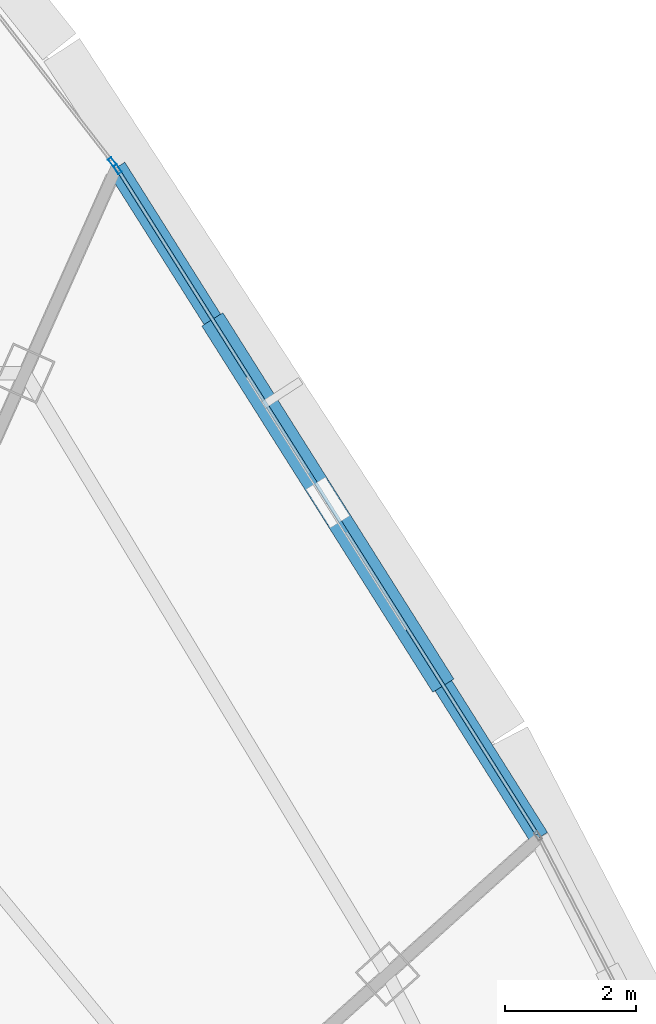
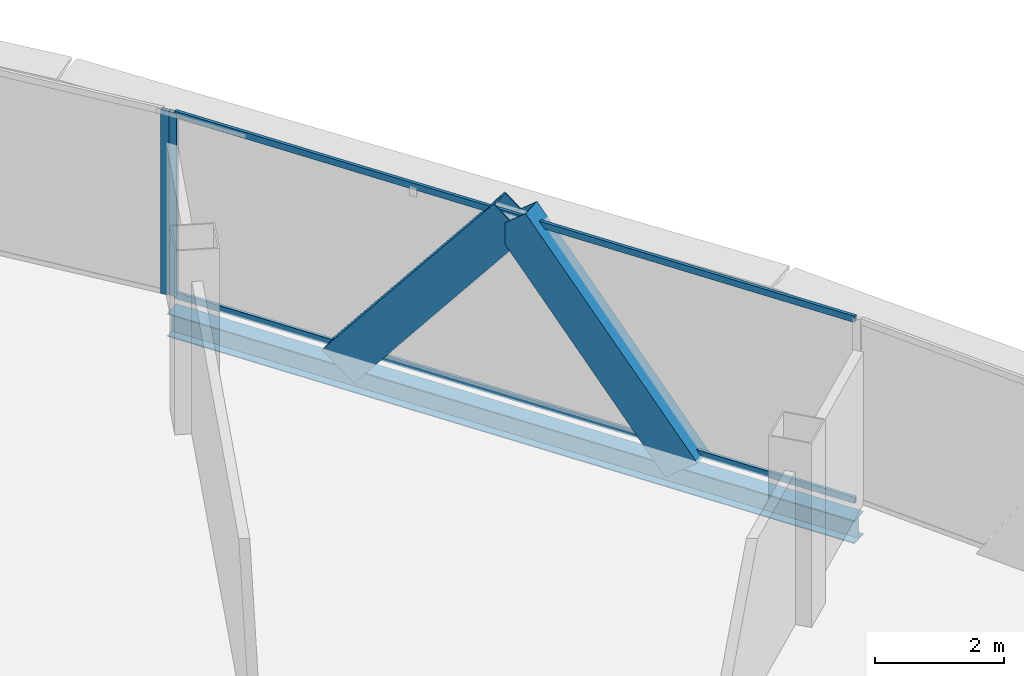
# One storey, part 19 of 26: 6 members, 1 beam, 2 elements without a shape of their own.
"""IFC4 building model written with IfcOpenShell, lengths in metres."""

from ifc_helpers import new_model, si_unit, direction, frame, origin, origin_2d, place, context, subcontext, project, spatial, hollow_rectangle, i_section, extrude, source, transform, mapped, material, layer, layer_set, material_profile, profile_set, type_object, element, aggregate, save


model = new_model("IFC4")

# Units and contexts
model_context = context("Model", 3, precision=1e-05, world=origin(), true_north=direction((0.0, 1.0)))
body_context = subcontext(model_context, "Body", "Model", "MODEL_VIEW")
ifc_project = project(units=[si_unit("LENGTHUNIT", "METRE"), si_unit("AREAUNIT", "SQUARE_METRE"), si_unit("VOLUMEUNIT", "CUBIC_METRE"), si_unit("PLANEANGLEUNIT", "RADIAN"), si_unit("MASSUNIT", "GRAM", prefix="KILO"), si_unit("THERMODYNAMICTEMPERATUREUNIT", "KELVIN"), si_unit("POWERUNIT", "WATT")], contexts=[model_context])

# Site, building, storey
site_placement = place(None, origin())
site = spatial("IfcSite", under=ifc_project, at=site_placement, CompositionType="ELEMENT")
building_placement = place(site_placement, origin())
building = spatial("IfcBuilding", under=site, at=building_placement, Name="Yunzhuo Pagoda Commons", CompositionType="ELEMENT")
storey_placement = place(building_placement, frame((0.0, 0.0, 340.510009765625)))
storey = spatial("IfcBuildingStorey", under=building, at=storey_placement, Name="L85", CompositionType="ELEMENT", Elevation=340.510009765625)

# Beam
ifc_material_1 = material(Name="Structural steel Q355B", Category="steel")
ifc_material_profile_1 = material_profile(ifc_material_1, i_section(OverallWidth=0.300048828125, OverallDepth=0.43994140625, WebThickness=0.010986328125, FlangeThickness=0.01806640625, at=origin_2d()), Name="Structural steel Q355B")
ifc_profile_set_1 = profile_set([ifc_material_profile_1], Name="Structural steel Q355B")
beam_type = type_object("IfcBeamType", Name="B-SP2 Beam HM 440x300x11x18", PredefinedType="BEAM", material=ifc_profile_set_1)
shared_shape_1 = source(origin(), body_context, "Body", "SweptSolid", [
    extrude(i_section(OverallWidth=0.300048828125, OverallDepth=0.43994140625, WebThickness=0.010986328125, FlangeThickness=0.01806640625, at=origin_2d()), origin(), (0.0, 0.0, 1.0), 12.070068359375),
])
beam_placement = place(storey_placement, frame((66.33447265625, 50.2080078125, -0.47998046875), z_axis=(-0.533485299325, 0.845809337501, 0.0), x_axis=(-0.845809337501, -0.533485299325, 0.0)))
element("IfcBeam", 1, at=beam_placement, inside=storey, type_object=beam_type, Name="L85 facade edge spandrel beam F2.3", PredefinedType="BEAM", context=body_context, shape_type="MappedRepresentation", body=[
    mapped(shared_shape_1, transform((0.0, 0.0, 0.0), scale=1.0)),
])

# Members
ifc_material_profile_2 = material_profile(ifc_material_1, hollow_rectangle(XDim=0.3798828125, YDim=0.719970703125, WallThickness=0.02001953125, at=origin_2d()), Name="Structural steel Q355B")
ifc_profile_set_2 = profile_set([ifc_material_profile_2], Name="Structural steel Q355B")
member_type_1 = type_object("IfcMemberType", Name="M-DL3 Brace BOX 720x380x20", PredefinedType="BRACE", material=ifc_profile_set_2)
shared_shape_2 = source(origin(), body_context, "Body", "SweptSolid", [
    extrude(hollow_rectangle(XDim=0.3798828125, YDim=0.719970703125, WallThickness=0.02001953125, at=origin_2d()), origin(), (0.0, 0.0, 1.0), 4.813232421875),
])
for number, where, z_axis, x_axis, name in (
    (2, (64.724365234375, 52.760498046875, -0.260009765625), (-0.334423493444, 0.530218227965, 0.779121016124), (-0.845813691845, -0.533478395708, 0.0), "L85 facade diamond brace F2.3L"),
    (3, (61.5048828125, 57.86474609375, -0.260009765625), (0.334459548167, -0.530245695562, 0.779086845594), (0.845800210541, 0.533499769305, 0.0), "L85 facade diamond brace F2.3R"),
):
    element("IfcMember", number, at=place(storey_placement, frame(where, z_axis=z_axis, x_axis=x_axis)), inside=storey, type_object=member_type_1, Name=name, PredefinedType="BRACE", context=body_context, shape_type="MappedRepresentation", body=[
        mapped(shared_shape_2, transform((0.0, 0.0, 0.0), scale=1.0)),
    ])

# Curtain wall, member
ifc_material_2 = material(Name="Anodized aluminium 6063-T6", Category="aluminium")
ifc_layer = layer(ifc_material_2, 0.139892578125)
ifc_layer_set = layer_set([ifc_layer], Name="Anodized aluminium 6063-T6")
curtain_wall_type = type_object("IfcCurtainWallType", Name="CW-HI High-Zone Ribbon Curtain Wall", PredefinedType="NOTDEFINED", material=ifc_layer_set)
curtain_wall_1_placement = place(storey_placement, origin())
curtain_wall_1 = element("IfcCurtainWall", 4, at=curtain_wall_1_placement, inside=storey, type_object=curtain_wall_type, Name="L85 curtain wall CW-L85-F2B4", PredefinedType="NOTDEFINED")
ifc_material_profile_3 = material_profile(ifc_material_2, hollow_rectangle(XDim=0.06005859375, YDim=0.139892578125, WallThickness=0.00341796875, at=origin_2d()), Name="Anodized aluminium 6063-T6")
ifc_profile_set_3 = profile_set([ifc_material_profile_3], Name="Anodized aluminium 6063-T6")
member_type_2 = type_object("IfcMemberType", Name="CW-HI-M Mullion RHS 140x60x3.5", PredefinedType="MULLION", material=ifc_profile_set_3)
shared_shape_3 = source(origin(), body_context, "Body", "SweptSolid", [
    extrude(hollow_rectangle(XDim=0.06005859375, YDim=0.139892578125, WallThickness=0.00341796875, at=origin_2d()), origin(), (0.0, 0.0, 1.0), 3.489990234375),
])
member_1_placement = place(storey_placement, frame((59.9111328125, 60.391845703125, 0.0), z_axis=(0.0, 0.0, 1.0), x_axis=(-0.845817518552, -0.533472328532, 0.0)))
member_1 = element("IfcMember", 5, at=member_1_placement, type_object=member_type_2, Name="CW mullion 2", PredefinedType="MULLION", context=body_context, shape_type="MappedRepresentation", body=[
    mapped(shared_shape_3, transform((0.0, 0.0, 0.0), scale=1.0)),
])

curtain_wall_2_placement = place(storey_placement, origin())
curtain_wall_2 = element("IfcCurtainWall", 6, at=curtain_wall_2_placement, inside=storey, type_object=curtain_wall_type, Name="L85 curtain wall CW-L85-F2B5", PredefinedType="NOTDEFINED")
member_2_placement = place(storey_placement, frame((59.8310546875, 60.5, 0.0), z_axis=(0.0, 0.0, 1.0), x_axis=(-0.79052744869, -0.612426610189, 0.0)))
member_2 = element("IfcMember", 7, at=member_2_placement, type_object=member_type_2, Name="CW mullion 1", PredefinedType="MULLION", context=body_context, shape_type="MappedRepresentation", body=[
    mapped(shared_shape_3, transform((0.0, 0.0, 0.0), scale=1.0)),
])
aggregate(curtain_wall_2, [member_2])

# Member
ifc_material_profile_4 = material_profile(ifc_material_2, hollow_rectangle(XDim=0.054931640625, YDim=0.1201171875, WallThickness=0.00341796875, at=origin_2d()), Name="Anodized aluminium 6063-T6")
ifc_profile_set_4 = profile_set([ifc_material_profile_4], Name="Anodized aluminium 6063-T6")
member_type_3 = type_object("IfcMemberType", Name="CW-HI-T Transom RHS 120x55x3.5", PredefinedType="USERDEFINED", material=ifc_profile_set_4)
shared_shape_4 = source(origin(), body_context, "Body", "SweptSolid", [
    extrude(hollow_rectangle(XDim=0.054931640625, YDim=0.1201171875, WallThickness=0.00341796875, at=origin_2d()), origin(), (0.0, 0.0, 1.0), 11.9501953125),
])
member_3_placement = place(storey_placement, frame((66.30224609375, 50.2587890625, 0.027587890625), z_axis=(-0.533467130189, 0.845820797219, 0.0), x_axis=(-0.845820797219, -0.533467130189, 0.0)))
member_3 = element("IfcMember", 8, at=member_3_placement, type_object=member_type_3, Name="CW transom 1.1", ObjectType="TRANSOM", PredefinedType="USERDEFINED", context=body_context, shape_type="MappedRepresentation", body=[
    mapped(shared_shape_4, transform((0.0, 0.0, 0.0), scale=1.0)),
])

member_4_placement = place(storey_placement, frame((66.30224609375, 50.2587890625, 3.46240234375), z_axis=(-0.533467130189, 0.845820797219, 0.0), x_axis=(-0.845820797219, -0.533467130189, 0.0)))
member_4 = element("IfcMember", 9, at=member_4_placement, type_object=member_type_3, Name="CW transom 1.2", ObjectType="TRANSOM", PredefinedType="USERDEFINED", context=body_context, shape_type="MappedRepresentation", body=[
    mapped(shared_shape_4, transform((0.0, 0.0, 0.0), scale=1.0)),
])

aggregate(curtain_wall_1, [member_1, member_3, member_4])

save(model, "model.ifc")
